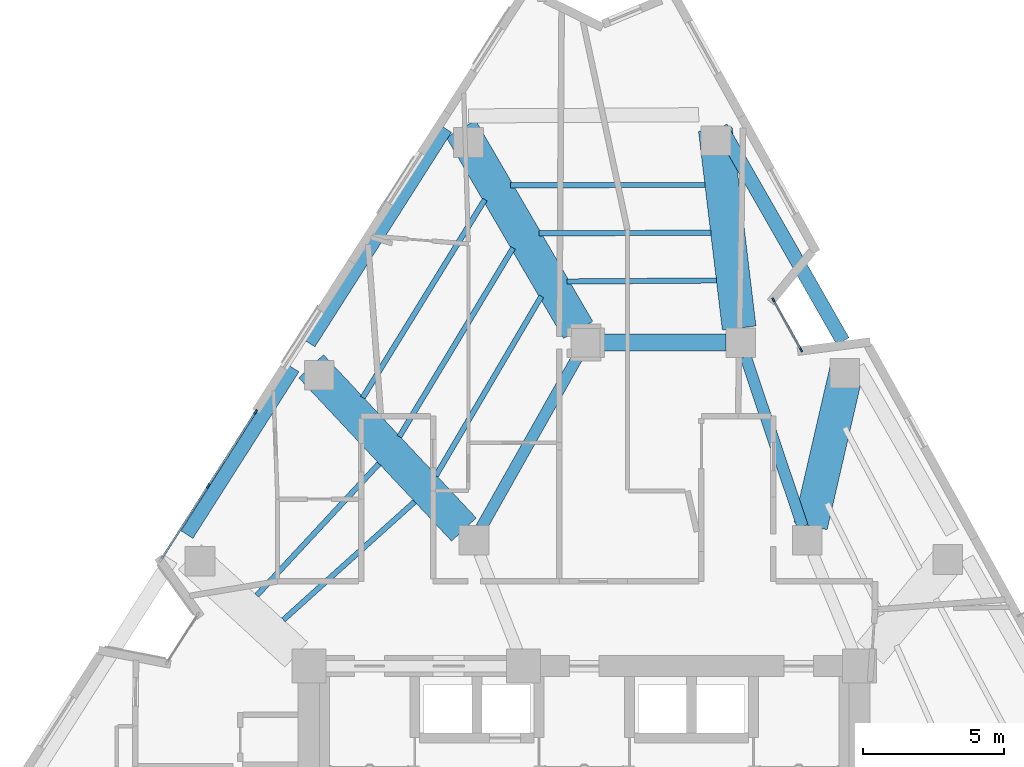
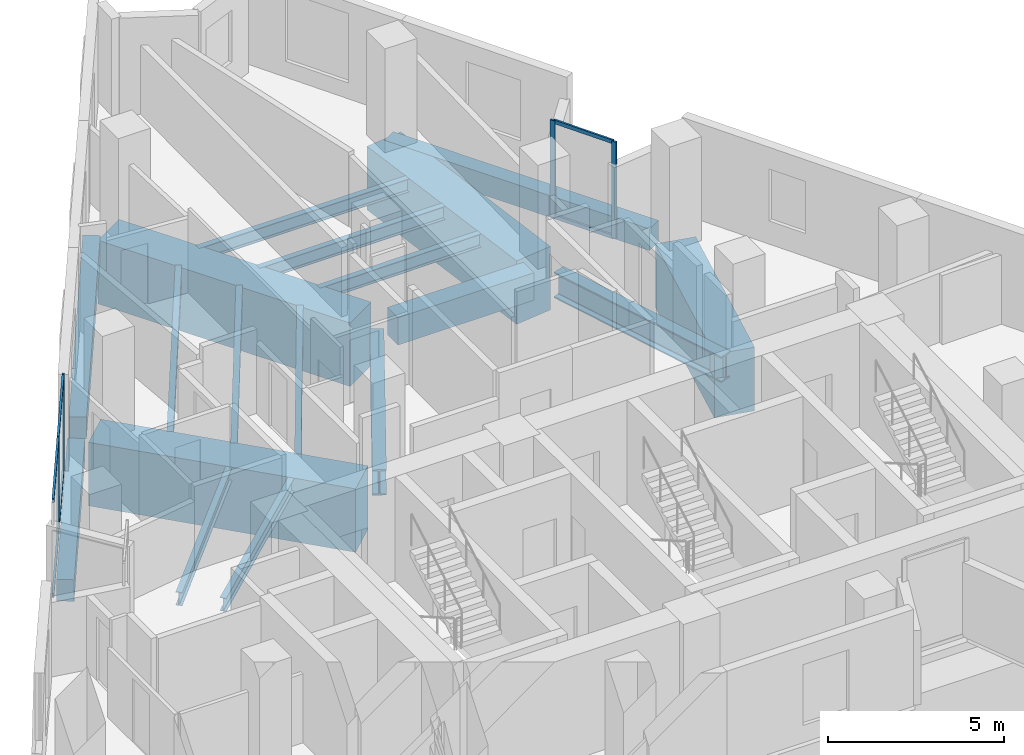
# One storey, part 3 of 11: 18 beams, 10 members, 2 elements without a shape of their own.
"""IFC4 building model written with IfcOpenShell, lengths in metres."""

from ifc_helpers import new_model, si_unit, direction, frame, origin, origin_2d, place, context, subcontext, project, spatial, rectangle, i_section, extrude, material, layer, layer_set, material_profile, profile_set, type_object, element, aggregate, save


model = new_model("IFC4")

# Units and contexts
model_context = context("Model", 3, precision=1e-05, world=origin(), true_north=direction((0.0, 1.0)))
body_context = subcontext(model_context, "Body", "Model", "MODEL_VIEW")
ifc_project = project(units=[si_unit("LENGTHUNIT", "METRE"), si_unit("AREAUNIT", "SQUARE_METRE"), si_unit("VOLUMEUNIT", "CUBIC_METRE"), si_unit("PLANEANGLEUNIT", "RADIAN"), si_unit("MASSUNIT", "GRAM", prefix="KILO")], contexts=[model_context])

# Site, building, storey
site_placement = place(None, origin())
site = spatial("IfcSite", under=ifc_project, at=site_placement, CompositionType="ELEMENT")
building_placement = place(site_placement, origin())
building = spatial("IfcBuilding", under=site, at=building_placement, Name="Almagre Mirador Tower", CompositionType="ELEMENT")
storey_placement = place(building_placement, frame((0.0, 0.0, 153.60009765625)))
storey = spatial("IfcBuildingStorey", under=building, at=storey_placement, Name="L39", CompositionType="ELEMENT", Elevation=153.60009765625)

# Beams
ifc_material_1 = material(Name="Steel ASTM A992 Grade 50", Category="steel")
ifc_material_profile_1 = material_profile(ifc_material_1, i_section(OverallWidth=0.19091796875, OverallDepth=0.4599609375, WebThickness=0.010009765625, FlangeThickness=0.01611328125, FilletRadius=0.01611328125, at=origin_2d()), Name="W18X55")
ifc_profile_set_1 = profile_set([ifc_material_profile_1], Name="Steel ASTM A992 Grade 50")
beam_type_1 = type_object("IfcBeamType", Name="BM-JST-W18X55", PredefinedType="JOIST", material=ifc_profile_set_1)
beam_1_placement = place(storey_placement, frame((41.58056640625, 31.78564453125, -0.47998046875), z_axis=(-0.999999695495, -0.000780390667, 0.0), x_axis=(0.000780390667, -0.999999695495, 0.0)))
element("IfcBeam", 1, at=beam_1_placement, inside=storey, type_object=beam_type_1, Name="L39 secondary floor joist PC08-PC09.1", PredefinedType="JOIST", context=body_context, shape_type="SweptSolid", body=[
    extrude(i_section(OverallWidth=0.19091796875, OverallDepth=0.4599609375, WebThickness=0.010009765625, FlangeThickness=0.01611328125, FilletRadius=0.01611328125, at=origin_2d()), origin(), (0.0, 0.0, 1.0), 6.882568359375),
])
beam_2_placement = place(storey_placement, frame((41.782958984375, 30.095703125, -0.47998046875), z_axis=(-0.99999319625, -0.00368882815, 0.0), x_axis=(0.00368882815, -0.99999319625, 0.0)))
element("IfcBeam", 2, at=beam_2_placement, inside=storey, type_object=beam_type_1, Name="L39 secondary floor joist PC08-PC09.2", PredefinedType="JOIST", context=body_context, shape_type="SweptSolid", body=[
    extrude(i_section(OverallWidth=0.19091796875, OverallDepth=0.4599609375, WebThickness=0.010009765625, FlangeThickness=0.01611328125, FilletRadius=0.01611328125, at=origin_2d()), origin(), (0.0, 0.0, 1.0), 6.0888671875),
])
beam_3_placement = place(storey_placement, frame((41.985107421875, 28.4052734375, -0.47998046875), z_axis=(-0.999973469356, -0.007284269625, 0.0), x_axis=(0.007284269625, -0.999973469356, 0.0)))
element("IfcBeam", 3, at=beam_3_placement, inside=storey, type_object=beam_type_1, Name="L39 secondary floor joist PC08-PC09.3", PredefinedType="JOIST", context=body_context, shape_type="SweptSolid", body=[
    extrude(i_section(OverallWidth=0.19091796875, OverallDepth=0.4599609375, WebThickness=0.010009765625, FlangeThickness=0.01611328125, FilletRadius=0.01611328125, at=origin_2d()), origin(), (0.0, 0.0, 1.0), 5.295654296875),
])
beam_4_placement = place(storey_placement, frame((33.783203125, 31.26904296875, -0.47998046875), z_axis=(-0.524722296437, -0.851273464653, 0.0), x_axis=(0.851273464653, -0.524722296437, 0.0)))
element("IfcBeam", 4, at=beam_4_placement, inside=storey, type_object=beam_type_1, Name="L39 secondary floor joist PC09-PC10.1", PredefinedType="JOIST", context=body_context, shape_type="SweptSolid", body=[
    extrude(i_section(OverallWidth=0.19091796875, OverallDepth=0.4599609375, WebThickness=0.010009765625, FlangeThickness=0.01611328125, FilletRadius=0.01611328125, at=origin_2d()), origin(), (0.0, 0.0, 1.0), 8.23828125),
])
beam_5_placement = place(storey_placement, frame((34.7841796875, 29.557373046875, -0.47998046875), z_axis=(-0.516265298648, -0.856428713561, 0.0), x_axis=(0.856428713561, -0.516265298648, 0.0)))
element("IfcBeam", 5, at=beam_5_placement, inside=storey, type_object=beam_type_1, Name="L39 secondary floor joist PC09-PC10.2", PredefinedType="JOIST", context=body_context, shape_type="SweptSolid", body=[
    extrude(i_section(OverallWidth=0.19091796875, OverallDepth=0.4599609375, WebThickness=0.010009765625, FlangeThickness=0.01611328125, FilletRadius=0.01611328125, at=origin_2d()), origin(), (0.0, 0.0, 1.0), 7.806640625),
])
beam_6_placement = place(storey_placement, frame((35.78564453125, 27.84521484375, -0.47998046875), z_axis=(-0.506930432433, -0.861986970129, 0.0), x_axis=(0.861986970129, -0.506930432433, 0.0)))
element("IfcBeam", 6, at=beam_6_placement, inside=storey, type_object=beam_type_1, Name="L39 secondary floor joist PC09-PC10.3", PredefinedType="JOIST", context=body_context, shape_type="SweptSolid", body=[
    extrude(i_section(OverallWidth=0.19091796875, OverallDepth=0.4599609375, WebThickness=0.010009765625, FlangeThickness=0.01611328125, FilletRadius=0.01611328125, at=origin_2d()), origin(), (0.0, 0.0, 1.0), 7.375244140625),
])
beam_7_placement = place(storey_placement, frame((30.0361328125, 21.918212890625, -0.47998046875), z_axis=(-0.680203887477, -0.733022967895, 0.0), x_axis=(0.733022967895, -0.680203887477, 0.0)))
element("IfcBeam", 7, at=beam_7_placement, inside=storey, type_object=beam_type_1, Name="L39 secondary floor joist PC10-PC11.2", PredefinedType="JOIST", context=body_context, shape_type="SweptSolid", body=[
    extrude(i_section(OverallWidth=0.19091796875, OverallDepth=0.4599609375, WebThickness=0.010009765625, FlangeThickness=0.01611328125, FilletRadius=0.01611328125, at=origin_2d()), origin(), (0.0, 0.0, 1.0), 6.36474609375),
])
beam_8_placement = place(storey_placement, frame((31.296875, 20.569091796875, -0.47998046875), z_axis=(-0.743241728521, -0.669022968952, 0.0), x_axis=(0.669022968952, -0.743241728521, 0.0)))
element("IfcBeam", 8, at=beam_8_placement, inside=storey, type_object=beam_type_1, Name="L39 secondary floor joist PC10-PC11.3", PredefinedType="JOIST", context=body_context, shape_type="SweptSolid", body=[
    extrude(i_section(OverallWidth=0.19091796875, OverallDepth=0.4599609375, WebThickness=0.010009765625, FlangeThickness=0.01611328125, FilletRadius=0.01611328125, at=origin_2d()), origin(), (0.0, 0.0, 1.0), 6.253173828125),
])
ifc_material_2 = material(Name="Concrete C60/75", Category="concrete")
ifc_material_profile_2 = material_profile(ifc_material_2, rectangle(XDim=0.60009765625, YDim=0.949951171875, at=origin_2d()), Name="RC600X950")
ifc_profile_set_2 = profile_set([ifc_material_profile_2], Name="Concrete C60/75")
beam_type_2 = type_object("IfcBeamType", Name="BM-LIN-RC600X950", PredefinedType="LINTEL", material=ifc_profile_set_2)
beam_9_placement = place(storey_placement, frame((37.875, 26.199951171875, -0.72509765625), z_axis=(1.0, 0.0, 0.0), x_axis=(0.0, 1.0, 0.0)))
element("IfcBeam", 9, at=beam_9_placement, inside=storey, type_object=beam_type_2, Name="L39 coupled header lintel LN-01", PredefinedType="LINTEL", context=body_context, shape_type="SweptSolid", body=[
    extrude(rectangle(XDim=0.60009765625, YDim=0.949951171875, at=origin_2d()), origin(), (0.0, 0.0, 1.0), 4.449951171875),
])
ifc_material_3 = material(Name="Precast concrete C50/60", Category="concrete")
ifc_material_profile_3 = material_profile(ifc_material_3, rectangle(XDim=0.5, YDim=0.75, at=origin_2d()), Name="RC500X750")
ifc_profile_set_3 = profile_set([ifc_material_profile_3], Name="Precast concrete C50/60")
beam_type_3 = type_object("IfcBeamType", Name="BM-SPN-RC500X750", PredefinedType="SPANDREL", material=ifc_profile_set_3)
beam_10_placement = place(storey_placement, frame((46.4619140625, 26.2529296875, -0.625), z_axis=(-0.495722514223, 0.868480966339, 0.0), x_axis=(-0.868480966339, -0.495722514223, 0.0)))
element("IfcBeam", 10, at=beam_10_placement, inside=storey, type_object=beam_type_3, Name="L39 perimeter spandrel beam PC07-PC08", PredefinedType="SPANDREL", context=body_context, shape_type="SweptSolid", body=[
    extrude(rectangle(XDim=0.5, YDim=0.75, at=origin_2d()), origin(), (0.0, 0.0, 1.0), 8.714111328125),
])
beam_11_placement = place(storey_placement, frame((32.389892578125, 33.7841796875, -0.625), z_axis=(-0.53711935681, -0.84350625163, 0.0), x_axis=(0.84350625163, -0.53711935681, 0.0)))
element("IfcBeam", 11, at=beam_11_placement, inside=storey, type_object=beam_type_3, Name="L39 perimeter spandrel beam PC09-PC10", PredefinedType="SPANDREL", context=body_context, shape_type="SweptSolid", body=[
    extrude(rectangle(XDim=0.5, YDim=0.75, at=origin_2d()), origin(), (0.0, 0.0, 1.0), 9.00341796875),
])
beam_12_placement = place(storey_placement, frame((26.989990234375, 25.30419921875, -0.625), z_axis=(-0.537135259931, -0.843496124792, 0.0), x_axis=(0.843496124792, -0.537135259931, 0.0)))
element("IfcBeam", 12, at=beam_12_placement, inside=storey, type_object=beam_type_3, Name="L39 perimeter spandrel beam PC10-PC11", PredefinedType="SPANDREL", context=body_context, shape_type="SweptSolid", body=[
    extrude(rectangle(XDim=0.5, YDim=0.75, at=origin_2d()), origin(), (0.0, 0.0, 1.0), 6.992919921875),
])
ifc_material_4 = material(Name="Steel ASTM A992 Grade 50", Category="steel")
ifc_material_profile_4 = material_profile(ifc_material_4, i_section(OverallWidth=0.404052734375, OverallDepth=0.884033203125, WebThickness=0.0244140625, FlangeThickness=0.0439453125, FilletRadius=0.02490234375, at=origin_2d()), Name="W33X291")
ifc_profile_set_4 = profile_set([ifc_material_profile_4], Name="Steel ASTM A992 Grade 50")
beam_type_4 = type_object("IfcBeamType", Name="BM-STL-W33X291", PredefinedType="BEAM", material=ifc_profile_set_4)
beam_13_placement = place(storey_placement, frame((43.01708984375, 25.702392578125, -0.692138671875), z_axis=(0.318262189587, -0.948002731367, 0.0), x_axis=(0.948002731367, 0.318262189587, 0.0)))
element("IfcBeam", 13, at=beam_13_placement, inside=storey, type_object=beam_type_4, Name="L39 core tie girder MC6-MC5", PredefinedType="BEAM", context=body_context, shape_type="SweptSolid", body=[
    extrude(i_section(OverallWidth=0.404052734375, OverallDepth=0.884033203125, WebThickness=0.0244140625, FlangeThickness=0.0439453125, FilletRadius=0.02490234375, at=origin_2d()), origin(), (0.0, 0.0, 1.0), 6.333984375),
])
beam_14_placement = place(storey_placement, frame((37.092041015625, 25.742919921875, -0.692138671875), z_axis=(-0.491443510044, -0.870909453638, 0.0), x_axis=(0.870909453638, -0.491443510044, 0.0)))
element("IfcBeam", 14, at=beam_14_placement, inside=storey, type_object=beam_type_4, Name="L39 core tie girder MC7-MC8", PredefinedType="BEAM", context=body_context, shape_type="SweptSolid", body=[
    extrude(i_section(OverallWidth=0.404052734375, OverallDepth=0.884033203125, WebThickness=0.0244140625, FlangeThickness=0.0439453125, FilletRadius=0.02490234375, at=origin_2d()), origin(), (0.0, 0.0, 1.0), 6.98779296875),
])
ifc_material_5 = material(Name="Concrete C60/75", Category="concrete")
ifc_material_profile_5 = material_profile(ifc_material_5, rectangle(XDim=1.199951171875, YDim=2.199951171875, at=origin_2d()), Name="RC1200X2200")
ifc_profile_set_5 = profile_set([ifc_material_profile_5], Name="Concrete C60/75")
beam_type_5 = type_object("IfcBeamType", Name="BM-XFER-RC1200X2200", PredefinedType="BEAM", material=ifc_profile_set_5)
beam_15_placement = place(storey_placement, frame((46.60400390625, 25.285400390625, -1.35009765625), z_axis=(-0.224800280545, -0.974404861373, 0.0), x_axis=(0.974404861373, -0.224800280545, 0.0)))
element("IfcBeam", 15, at=beam_15_placement, inside=storey, type_object=beam_type_5, Name="L39 radial transfer girder PC07-MC5", PredefinedType="BEAM", context=body_context, shape_type="SweptSolid", body=[
    extrude(rectangle(XDim=1.199951171875, YDim=2.199951171875, at=origin_2d()), origin(), (0.0, 0.0, 1.0), 5.72021484375),
])
beam_16_placement = place(storey_placement, frame((41.944580078125, 33.755615234375, -1.35009765625), z_axis=(0.118990312316, -0.992895415225, 0.0), x_axis=(0.992895415225, 0.118990312316, 0.0)))
element("IfcBeam", 16, at=beam_16_placement, inside=storey, type_object=beam_type_5, Name="L39 radial transfer girder PC08-MC6", PredefinedType="BEAM", context=body_context, shape_type="SweptSolid", body=[
    extrude(rectangle(XDim=1.199951171875, YDim=2.199951171875, at=origin_2d()), origin(), (0.0, 0.0, 1.0), 7.084716796875),
])
beam_17_placement = place(storey_placement, frame((32.936279296875, 33.7734375, -1.35009765625), z_axis=(0.503522841175, -0.863981914403, 0.0), x_axis=(0.863981914403, 0.503522841175, 0.0)))
element("IfcBeam", 17, at=beam_17_placement, inside=storey, type_object=beam_type_5, Name="L39 radial transfer girder PC09-MC7", PredefinedType="BEAM", context=body_context, shape_type="SweptSolid", body=[
    extrude(rectangle(XDim=1.199951171875, YDim=2.199951171875, at=origin_2d()), origin(), (0.0, 0.0, 1.0), 8.24072265625),
])
beam_18_placement = place(storey_placement, frame((27.630859375, 25.36376953125, -1.35009765625), z_axis=(0.683347013073, -0.730093733519, 0.0), x_axis=(0.730093733519, 0.683347013073, 0.0)))
element("IfcBeam", 18, at=beam_18_placement, inside=storey, type_object=beam_type_5, Name="L39 radial transfer girder PC10-MC8", PredefinedType="BEAM", context=body_context, shape_type="SweptSolid", body=[
    extrude(rectangle(XDim=1.199951171875, YDim=2.199951171875, at=origin_2d()), origin(), (0.0, 0.0, 1.0), 7.91748046875),
])

# Curtain wall, members
ifc_material_6 = material(Name="Black anodized aluminium", Category="aluminium")
ifc_layer_1 = layer(ifc_material_6, 0.169921875)
ifc_layer_set_1 = layer_set([ifc_layer_1], Name="Black anodized aluminium")
curtain_wall_type_1 = type_object("IfcCurtainWallType", Name="CW-CRS-SYS", PredefinedType="NOTDEFINED", material=ifc_layer_set_1)
curtain_wall_1_placement = place(storey_placement, origin())
curtain_wall_1 = element("IfcCurtainWall", 19, at=curtain_wall_1_placement, inside=storey, type_object=curtain_wall_type_1, Name="L39 vertical crease curtain wall 03", PredefinedType="NOTDEFINED")
ifc_material_7 = material(Name="Black anodized aluminium", Category="aluminium")
ifc_material_profile_6 = material_profile(ifc_material_7, rectangle(XDim=0.06005859375, YDim=0.14990234375, at=origin_2d()), Name="CWM60X150")
ifc_profile_set_6 = profile_set([ifc_material_profile_6], Name="Black anodized aluminium")
member_type_1 = type_object("IfcMemberType", Name="MBR-CWM60X150", PredefinedType="MULLION", material=ifc_profile_set_6)
member_1_placement = place(storey_placement, frame((43.99951171875, 27.71875, 0.0), z_axis=(0.0, 0.0, 1.0), x_axis=(0.874878722341, 0.48434204979, 0.0)))
member_1 = element("IfcMember", 20, at=member_1_placement, type_object=member_type_1, Name="CW-4 mullion 1", PredefinedType="MULLION", context=body_context, shape_type="SweptSolid", body=[
    extrude(rectangle(XDim=0.06005859375, YDim=0.14990234375, at=origin_2d()), origin(), (0.0, 0.0, 1.0), 3.349853515625),
])
member_2_placement = place(storey_placement, frame((44.982421875, 25.943359375, 0.0), z_axis=(0.0, 0.0, 1.0), x_axis=(0.874878722341, 0.48434204979, 0.0)))
member_2 = element("IfcMember", 21, at=member_2_placement, type_object=member_type_1, Name="CW-4 mullion 2", PredefinedType="MULLION", context=body_context, shape_type="SweptSolid", body=[
    extrude(rectangle(XDim=0.06005859375, YDim=0.14990234375, at=origin_2d()), origin(), (0.0, 0.0, 1.0), 3.349853515625),
])

ifc_material_8 = material(Name="Black anodized aluminium", Category="aluminium")
ifc_layer_2 = layer(ifc_material_8, 0.199951171875)
ifc_layer_set_2 = layer_set([ifc_layer_2], Name="Black anodized aluminium")
curtain_wall_type_2 = type_object("IfcCurtainWallType", Name="CW-RES-H-SYS", PredefinedType="NOTDEFINED", material=ifc_layer_set_2)
curtain_wall_2_placement = place(storey_placement, origin())
curtain_wall_2 = element("IfcCurtainWall", 22, at=curtain_wall_2_placement, inside=storey, type_object=curtain_wall_type_2, Name="L39 curtain wall run 02", PredefinedType="NOTDEFINED")
ifc_material_9 = material(Name="Black anodized aluminium", Category="aluminium")
ifc_material_profile_7 = material_profile(ifc_material_9, rectangle(XDim=0.06494140625, YDim=0.179931640625, at=origin_2d()), Name="CWM65X180")
ifc_profile_set_7 = profile_set([ifc_material_profile_7], Name="Black anodized aluminium")
member_type_2 = type_object("IfcMemberType", Name="MBR-CWM65X180", PredefinedType="MULLION", material=ifc_profile_set_7)
member_3_placement = place(storey_placement, frame((23.98583984375, 21.12841796875, 0.0), z_axis=(0.0, 0.0, 1.0), x_axis=(-0.841981168669, 0.539506915253, 0.0)))
member_3 = element("IfcMember", 23, at=member_3_placement, type_object=member_type_2, Name="CW-3 mullion 2", PredefinedType="MULLION", context=body_context, shape_type="SweptSolid", body=[
    extrude(rectangle(XDim=0.06494140625, YDim=0.179931640625, at=origin_2d()), origin(), (0.0, 0.0, 1.0), 3.349853515625),
])
member_4_placement = place(storey_placement, frame((25.661865234375, 23.744384765625, 0.0), z_axis=(0.0, 0.0, 1.0), x_axis=(-0.841981168669, 0.539506915253, 0.0)))
member_4 = element("IfcMember", 24, at=member_4_placement, type_object=member_type_2, Name="CW-3 mullion 3", PredefinedType="MULLION", context=body_context, shape_type="SweptSolid", body=[
    extrude(rectangle(XDim=0.06494140625, YDim=0.179931640625, at=origin_2d()), origin(), (0.0, 0.0, 1.0), 3.349853515625),
])

# Member
ifc_material_10 = material(Name="Black anodized aluminium", Category="aluminium")
ifc_material_profile_8 = material_profile(ifc_material_10, rectangle(XDim=0.06005859375, YDim=0.1298828125, at=origin_2d()), Name="CWT60X130")
ifc_profile_set_8 = profile_set([ifc_material_profile_8], Name="Black anodized aluminium")
member_type_3 = type_object("IfcMemberType", Name="MBR-CWT60X130", PredefinedType="USERDEFINED", material=ifc_profile_set_8)
member_5_placement = place(storey_placement, frame((44.01416015625, 27.692626953125, 0.02978515625), z_axis=(0.484305716998, -0.874898835571, 0.0), x_axis=(0.874898835571, 0.484305716998, 0.0)))
member_5 = element("IfcMember", 25, at=member_5_placement, type_object=member_type_3, Name="CW-4 transom 1.1", ObjectType="TRANSOM", PredefinedType="USERDEFINED", context=body_context, shape_type="SweptSolid", body=[
    extrude(rectangle(XDim=0.06005859375, YDim=0.1298828125, at=origin_2d()), origin(), (0.0, 0.0, 1.0), 1.969482421875),
])

member_6_placement = place(storey_placement, frame((44.01416015625, 27.692626953125, 3.31982421875), z_axis=(0.484305716998, -0.874898835571, 0.0), x_axis=(0.874898835571, 0.484305716998, 0.0)))
member_6 = element("IfcMember", 26, at=member_6_placement, type_object=member_type_3, Name="CW-4 transom 1.2", ObjectType="TRANSOM", PredefinedType="USERDEFINED", context=body_context, shape_type="SweptSolid", body=[
    extrude(rectangle(XDim=0.06005859375, YDim=0.1298828125, at=origin_2d()), origin(), (0.0, 0.0, 1.0), 1.969482421875),
])

aggregate(curtain_wall_1, [member_1, member_2, member_5, member_6])

ifc_material_11 = material(Name="Black anodized aluminium", Category="aluminium")
ifc_material_profile_9 = material_profile(ifc_material_11, rectangle(XDim=0.06494140625, YDim=0.14990234375, at=origin_2d()), Name="CWT65X150")
ifc_profile_set_9 = profile_set([ifc_material_profile_9], Name="Black anodized aluminium")
member_type_4 = type_object("IfcMemberType", Name="MBR-CWT65X150", PredefinedType="USERDEFINED", material=ifc_profile_set_9)
member_7_placement = place(storey_placement, frame((22.3271484375, 18.539794921875, 0.032470703125), z_axis=(0.539495452164, 0.841988513635, 0.0), x_axis=(-0.841988513635, 0.539495452164, 0.0)))
member_7 = element("IfcMember", 27, at=member_7_placement, type_object=member_type_4, Name="CW-3 transom 1.1", ObjectType="TRANSOM", PredefinedType="USERDEFINED", context=body_context, shape_type="SweptSolid", body=[
    extrude(rectangle(XDim=0.06494140625, YDim=0.14990234375, at=origin_2d()), origin(), (0.0, 0.0, 1.0), 3.0419921875),
])

member_8_placement = place(storey_placement, frame((22.3271484375, 18.539794921875, 3.3173828125), z_axis=(0.539495452164, 0.841988513635, 0.0), x_axis=(-0.841988513635, 0.539495452164, 0.0)))
member_8 = element("IfcMember", 28, at=member_8_placement, type_object=member_type_4, Name="CW-3 transom 1.2", ObjectType="TRANSOM", PredefinedType="USERDEFINED", context=body_context, shape_type="SweptSolid", body=[
    extrude(rectangle(XDim=0.06494140625, YDim=0.14990234375, at=origin_2d()), origin(), (0.0, 0.0, 1.0), 3.0419921875),
])

member_9_placement = place(storey_placement, frame((24.003173828125, 21.15576171875, 0.032470703125), z_axis=(0.539552347073, 0.841952056098, 0.0), x_axis=(-0.841952056098, 0.539552347073, 0.0)))
member_9 = element("IfcMember", 29, at=member_9_placement, type_object=member_type_4, Name="CW-3 transom 2.1", ObjectType="TRANSOM", PredefinedType="USERDEFINED", context=body_context, shape_type="SweptSolid", body=[
    extrude(rectangle(XDim=0.06494140625, YDim=0.14990234375, at=origin_2d()), origin(), (0.0, 0.0, 1.0), 3.0419921875),
])

member_10_placement = place(storey_placement, frame((24.003173828125, 21.15576171875, 3.3173828125), z_axis=(0.539552347073, 0.841952056098, 0.0), x_axis=(-0.841952056098, 0.539552347073, 0.0)))
member_10 = element("IfcMember", 30, at=member_10_placement, type_object=member_type_4, Name="CW-3 transom 2.2", ObjectType="TRANSOM", PredefinedType="USERDEFINED", context=body_context, shape_type="SweptSolid", body=[
    extrude(rectangle(XDim=0.06494140625, YDim=0.14990234375, at=origin_2d()), origin(), (0.0, 0.0, 1.0), 3.0419921875),
])

aggregate(curtain_wall_2, [member_3, member_4, member_7, member_8, member_9, member_10])

save(model, "model.ifc")
